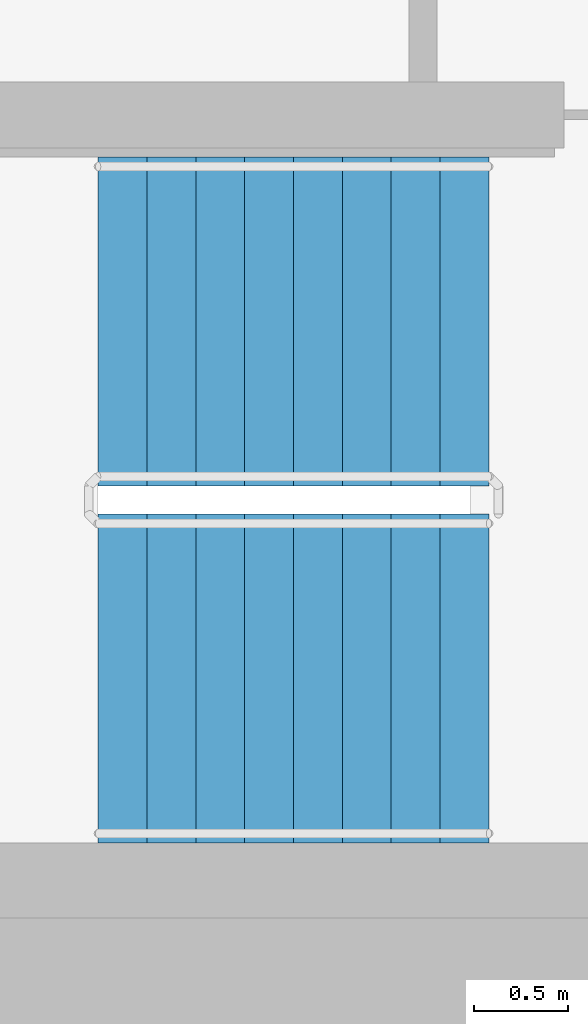
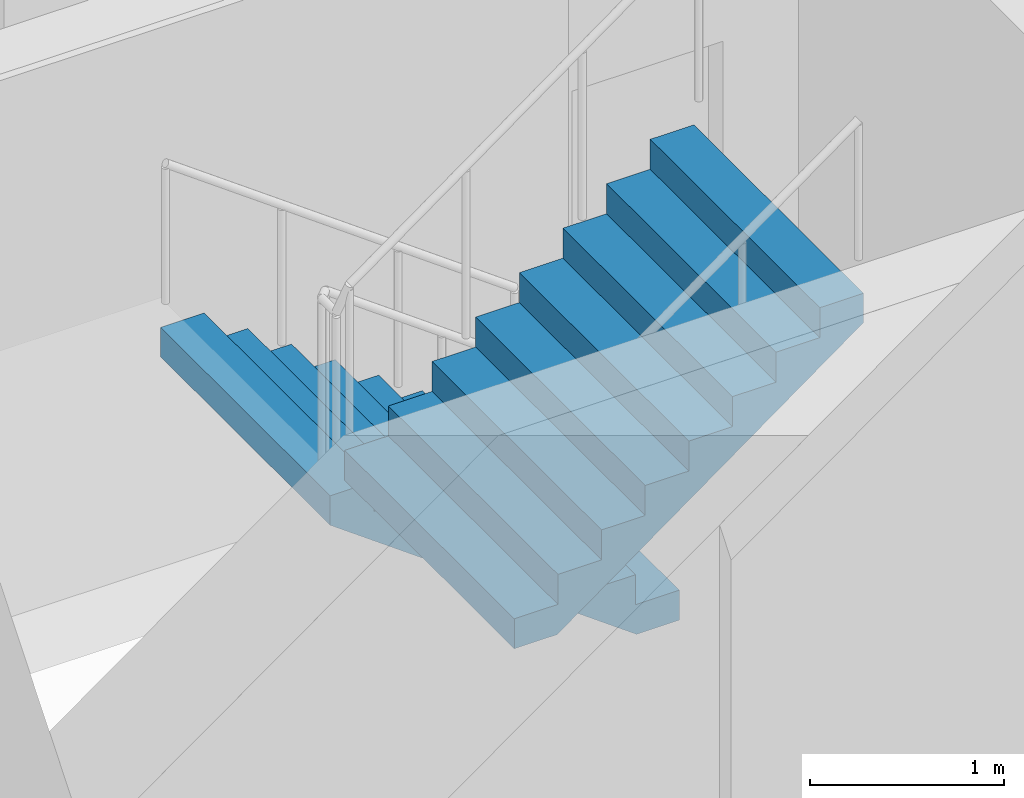
# One storey, part 13 of 19: 2 stair flights, 1 element without a shape of its own.
"""IFC4 building model written with IfcOpenShell, lengths in metres."""

from ifc_helpers import new_model, si_unit, direction, frame, origin, place, context, subcontext, project, spatial, faceted_brep, material, type_object, element, aggregate, save


model = new_model("IFC4")

# Units and contexts
model_context = context("Model", 3, precision=1e-05, world=origin(), true_north=direction((0.0, 1.0)))
body_context = subcontext(model_context, "Body", "Model", "MODEL_VIEW")
ifc_project = project(units=[si_unit("LENGTHUNIT", "METRE"), si_unit("AREAUNIT", "SQUARE_METRE"), si_unit("VOLUMEUNIT", "CUBIC_METRE"), si_unit("PLANEANGLEUNIT", "RADIAN"), si_unit("MASSUNIT", "GRAM", prefix="KILO")], contexts=[model_context])

# Site, building, storey
site_placement = place(None, origin())
site = spatial("IfcSite", under=ifc_project, at=site_placement, CompositionType="ELEMENT")
building_placement = place(site_placement, origin())
building = spatial("IfcBuilding", under=site, at=building_placement, Name="Ipe Terrace Towers", CompositionType="ELEMENT")
storey_placement = place(building_placement, frame((0.0, 0.0, 137.10009765625)))
storey = spatial("IfcBuildingStorey", under=building, at=storey_placement, Name="L37", CompositionType="ELEMENT", Elevation=137.10009765625)

# Stair, stair flights
ifc_material_1 = material(Name="Concrete C30/37", Category="concrete")
stair_type = type_object("IfcStairType", Name="Protected exit stair", PredefinedType="HALF_TURN_STAIR", material=ifc_material_1)
stair_placement = place(storey_placement, origin())
stair = element("IfcStair", 1, at=stair_placement, inside=storey, type_object=stair_type, Name="L37 Exit stair T1-C2", PredefinedType="HALF_TURN_STAIR")
ifc_material_2 = material(Name="Concrete C30/37", Category="concrete")
stair_flight_type = type_object("IfcStairFlightType", Name="Exit stair flight 1750", PredefinedType="STRAIGHT", material=ifc_material_2)
stair_flight_1_placement = place(storey_placement, frame((-45.699951171875, -2.77490234375, 0.0), z_axis=(0.0, 0.0, 1.0), x_axis=(-1.0, 0.0, 0.0)))
stair_flight_1 = element("IfcStairFlight", 2, at=stair_flight_1_placement, type_object=stair_flight_type, Name="T1-ST2 flight 1", NumberOfRisers=9, NumberOfTreads=8, PredefinedType="STRAIGHT", RiserHeight=0.188888889, TreadLength=0.26, context=body_context, shape_type="Brep", body=[
    faceted_brep([(0.255126953125, -0.875, 0.0), (2.080078125, -0.875, 1.325927734375), (2.080078125, -0.875, 1.51123046875), (1.820068359375, -0.875, 1.51123046875), (1.820068359375, -0.875, 1.322265625), (1.56005859375, -0.875, 1.322265625), (1.56005859375, -0.875, 1.13330078125), (1.300048828125, -0.875, 1.13330078125), (1.300048828125, -0.875, 0.9443359375), (1.0400390625, -0.875, 0.9443359375), (1.0400390625, -0.875, 0.755615234375), (0.780029296875, -0.875, 0.755615234375), (0.780029296875, -0.875, 0.566650390625), (0.52001953125, -0.875, 0.566650390625), (0.52001953125, -0.875, 0.377685546875), (0.260009765625, -0.875, 0.377685546875), (0.260009765625, -0.875, 0.18896484375), (0.0, -0.875, 0.18896484375), (0.0, -0.875, 0.0), (0.0, 0.875, 0.0), (0.0, 0.875, 0.18896484375), (0.260009765625, 0.875, 0.18896484375), (0.260009765625, 0.875, 0.377685546875), (0.52001953125, 0.875, 0.377685546875), (0.52001953125, 0.875, 0.566650390625), (0.780029296875, 0.875, 0.566650390625), (0.780029296875, 0.875, 0.755615234375), (1.0400390625, 0.875, 0.755615234375), (1.0400390625, 0.875, 0.9443359375), (1.300048828125, 0.875, 0.9443359375), (1.300048828125, 0.875, 1.13330078125), (1.56005859375, 0.875, 1.13330078125), (1.56005859375, 0.875, 1.322265625), (1.820068359375, 0.875, 1.322265625), (1.820068359375, 0.875, 1.51123046875), (2.080078125, 0.875, 1.51123046875), (2.080078125, 0.875, 1.325927734375), (0.255126953125, 0.875, 0.0), (0.0, -0.300048828125, 0.18896484375), (0.0, -0.1201171875, 0.18896484375), (0.0, -0.06005859375, 0.18896484375), (0.0, -0.030029296875, 0.18896484375), (0.0, -0.010009765625, 0.18896484375), (0.0, 0.0, 0.18896484375), (0.0, 0.010009765625, 0.18896484375), (0.0, 0.030029296875, 0.18896484375), (0.0, 0.06005859375, 0.18896484375), (0.0, 0.1201171875, 0.18896484375), (0.0, 0.300048828125, 0.18896484375), (0.0, 0.300048828125, 0.0), (0.0, 0.1201171875, 0.0), (0.0, 0.06005859375, 0.0), (0.0, 0.030029296875, 0.0), (0.0, 0.010009765625, 0.0), (0.0, 0.0, 0.0), (0.0, -0.010009765625, 0.0), (0.0, -0.030029296875, 0.0), (0.0, -0.06005859375, 0.0), (0.0, -0.1201171875, 0.0), (0.0, -0.300048828125, 0.0), (0.260009765625, -0.300048828125, 0.18896484375), (0.260009765625, -0.1201171875, 0.18896484375), (0.260009765625, -0.06005859375, 0.18896484375), (0.260009765625, -0.030029296875, 0.18896484375), (0.260009765625, -0.010009765625, 0.18896484375), (0.260009765625, 0.0, 0.18896484375), (0.260009765625, 0.010009765625, 0.18896484375), (0.260009765625, 0.030029296875, 0.18896484375), (0.260009765625, 0.06005859375, 0.18896484375), (0.260009765625, 0.1201171875, 0.18896484375), (0.260009765625, 0.300048828125, 0.18896484375), (0.260009765625, -0.300048828125, 0.377685546875), (0.260009765625, -0.1201171875, 0.377685546875), (0.260009765625, -0.06005859375, 0.377685546875), (0.260009765625, -0.030029296875, 0.377685546875), (0.260009765625, -0.010009765625, 0.377685546875), (0.260009765625, 0.0, 0.377685546875), (0.260009765625, 0.010009765625, 0.377685546875), (0.260009765625, 0.030029296875, 0.377685546875), (0.260009765625, 0.06005859375, 0.377685546875), (0.260009765625, 0.1201171875, 0.377685546875), (0.260009765625, 0.300048828125, 0.377685546875), (0.52001953125, -0.300048828125, 0.377685546875), (0.52001953125, -0.1201171875, 0.377685546875), (0.52001953125, -0.06005859375, 0.377685546875), (0.52001953125, -0.030029296875, 0.377685546875), (0.52001953125, -0.010009765625, 0.377685546875), (0.52001953125, 0.0, 0.377685546875), (0.52001953125, 0.010009765625, 0.377685546875), (0.52001953125, 0.030029296875, 0.377685546875), (0.52001953125, 0.06005859375, 0.377685546875), (0.52001953125, 0.1201171875, 0.377685546875), (0.52001953125, 0.300048828125, 0.377685546875), (0.52001953125, -0.300048828125, 0.566650390625), (0.52001953125, -0.1201171875, 0.566650390625), (0.52001953125, -0.06005859375, 0.566650390625), (0.52001953125, -0.030029296875, 0.566650390625), (0.52001953125, -0.010009765625, 0.566650390625), (0.52001953125, 0.0, 0.566650390625), (0.52001953125, 0.010009765625, 0.566650390625), (0.52001953125, 0.030029296875, 0.566650390625), (0.52001953125, 0.06005859375, 0.566650390625), (0.52001953125, 0.1201171875, 0.566650390625), (0.52001953125, 0.300048828125, 0.566650390625), (0.780029296875, -0.300048828125, 0.566650390625), (0.780029296875, -0.1201171875, 0.566650390625), (0.780029296875, -0.06005859375, 0.566650390625), (0.780029296875, -0.030029296875, 0.566650390625), (0.780029296875, -0.010009765625, 0.566650390625), (0.780029296875, 0.0, 0.566650390625), (0.780029296875, 0.010009765625, 0.566650390625), (0.780029296875, 0.030029296875, 0.566650390625), (0.780029296875, 0.06005859375, 0.566650390625), (0.780029296875, 0.1201171875, 0.566650390625), (0.780029296875, 0.300048828125, 0.566650390625), (0.780029296875, -0.300048828125, 0.755615234375), (0.780029296875, -0.1201171875, 0.755615234375), (0.780029296875, -0.06005859375, 0.755615234375), (0.780029296875, -0.030029296875, 0.755615234375), (0.780029296875, -0.010009765625, 0.755615234375), (0.780029296875, 0.0, 0.755615234375), (0.780029296875, 0.010009765625, 0.755615234375), (0.780029296875, 0.030029296875, 0.755615234375), (0.780029296875, 0.06005859375, 0.755615234375), (0.780029296875, 0.1201171875, 0.755615234375), (0.780029296875, 0.300048828125, 0.755615234375), (1.0400390625, -0.300048828125, 0.755615234375), (1.0400390625, -0.1201171875, 0.755615234375), (1.0400390625, -0.06005859375, 0.755615234375), (1.0400390625, -0.030029296875, 0.755615234375), (1.0400390625, -0.010009765625, 0.755615234375), (1.0400390625, 0.0, 0.755615234375), (1.0400390625, 0.010009765625, 0.755615234375), (1.0400390625, 0.030029296875, 0.755615234375), (1.0400390625, 0.06005859375, 0.755615234375), (1.0400390625, 0.1201171875, 0.755615234375), (1.0400390625, 0.300048828125, 0.755615234375), (1.0400390625, -0.300048828125, 0.9443359375), (1.0400390625, -0.1201171875, 0.9443359375), (1.0400390625, -0.06005859375, 0.9443359375), (1.0400390625, -0.030029296875, 0.9443359375), (1.0400390625, -0.010009765625, 0.9443359375), (1.0400390625, 0.0, 0.9443359375), (1.0400390625, 0.010009765625, 0.9443359375), (1.0400390625, 0.030029296875, 0.9443359375), (1.0400390625, 0.06005859375, 0.9443359375), (1.0400390625, 0.1201171875, 0.9443359375), (1.0400390625, 0.300048828125, 0.9443359375), (1.300048828125, -0.300048828125, 0.9443359375), (1.300048828125, -0.1201171875, 0.9443359375), (1.300048828125, -0.06005859375, 0.9443359375), (1.300048828125, -0.030029296875, 0.9443359375), (1.300048828125, -0.010009765625, 0.9443359375), (1.300048828125, 0.0, 0.9443359375), (1.300048828125, 0.010009765625, 0.9443359375), (1.300048828125, 0.030029296875, 0.9443359375), (1.300048828125, 0.06005859375, 0.9443359375), (1.300048828125, 0.1201171875, 0.9443359375), (1.300048828125, 0.300048828125, 0.9443359375), (1.300048828125, -0.300048828125, 1.13330078125), (1.300048828125, -0.1201171875, 1.13330078125), (1.300048828125, -0.06005859375, 1.13330078125), (1.300048828125, -0.030029296875, 1.13330078125), (1.300048828125, -0.010009765625, 1.13330078125), (1.300048828125, 0.0, 1.13330078125), (1.300048828125, 0.010009765625, 1.13330078125), (1.300048828125, 0.030029296875, 1.13330078125), (1.300048828125, 0.06005859375, 1.13330078125), (1.300048828125, 0.1201171875, 1.13330078125), (1.300048828125, 0.300048828125, 1.13330078125), (1.56005859375, -0.300048828125, 1.13330078125), (1.56005859375, -0.1201171875, 1.13330078125), (1.56005859375, -0.06005859375, 1.13330078125), (1.56005859375, -0.030029296875, 1.13330078125), (1.56005859375, -0.010009765625, 1.13330078125), (1.56005859375, 0.0, 1.13330078125), (1.56005859375, 0.010009765625, 1.13330078125), (1.56005859375, 0.030029296875, 1.13330078125), (1.56005859375, 0.06005859375, 1.13330078125), (1.56005859375, 0.1201171875, 1.13330078125), (1.56005859375, 0.300048828125, 1.13330078125), (1.56005859375, -0.300048828125, 1.322265625), (1.56005859375, -0.1201171875, 1.322265625), (1.56005859375, -0.06005859375, 1.322265625), (1.56005859375, -0.030029296875, 1.322265625), (1.56005859375, -0.010009765625, 1.322265625), (1.56005859375, 0.0, 1.322265625), (1.56005859375, 0.010009765625, 1.322265625), (1.56005859375, 0.030029296875, 1.322265625), (1.56005859375, 0.06005859375, 1.322265625), (1.56005859375, 0.1201171875, 1.322265625), (1.56005859375, 0.300048828125, 1.322265625), (1.820068359375, -0.300048828125, 1.322265625), (1.820068359375, -0.1201171875, 1.322265625), (1.820068359375, -0.06005859375, 1.322265625), (1.820068359375, -0.030029296875, 1.322265625), (1.820068359375, -0.010009765625, 1.322265625), (1.820068359375, 0.0, 1.322265625), (1.820068359375, 0.010009765625, 1.322265625), (1.820068359375, 0.030029296875, 1.322265625), (1.820068359375, 0.06005859375, 1.322265625), (1.820068359375, 0.1201171875, 1.322265625), (1.820068359375, 0.300048828125, 1.322265625), (1.820068359375, -0.300048828125, 1.51123046875), (1.820068359375, -0.1201171875, 1.51123046875), (1.820068359375, -0.06005859375, 1.51123046875), (1.820068359375, -0.030029296875, 1.51123046875), (1.820068359375, -0.010009765625, 1.51123046875), (1.820068359375, 0.0, 1.51123046875), (1.820068359375, 0.010009765625, 1.51123046875), (1.820068359375, 0.030029296875, 1.51123046875), (1.820068359375, 0.06005859375, 1.51123046875), (1.820068359375, 0.1201171875, 1.51123046875), (1.820068359375, 0.300048828125, 1.51123046875), (2.080078125, -0.300048828125, 1.51123046875), (2.080078125, -0.1201171875, 1.51123046875), (2.080078125, -0.06005859375, 1.51123046875), (2.080078125, -0.030029296875, 1.51123046875), (2.080078125, -0.010009765625, 1.51123046875), (2.080078125, 0.0, 1.51123046875), (2.080078125, 0.010009765625, 1.51123046875), (2.080078125, 0.030029296875, 1.51123046875), (2.080078125, 0.06005859375, 1.51123046875), (2.080078125, 0.1201171875, 1.51123046875), (2.080078125, 0.300048828125, 1.51123046875), (2.080078125, -0.300048828125, 1.325927734375), (2.080078125, -0.1201171875, 1.325927734375), (2.080078125, -0.06005859375, 1.325927734375), (2.080078125, -0.030029296875, 1.325927734375), (2.080078125, -0.010009765625, 1.325927734375), (2.080078125, 0.0, 1.325927734375), (2.080078125, 0.010009765625, 1.325927734375), (2.080078125, 0.030029296875, 1.325927734375), (2.080078125, 0.06005859375, 1.325927734375), (2.080078125, 0.1201171875, 1.325927734375), (2.080078125, 0.300048828125, 1.325927734375), (0.255126953125, -0.300048828125, 0.0), (0.255126953125, -0.1201171875, 0.0), (0.255126953125, -0.06005859375, 0.0), (0.255126953125, -0.030029296875, 0.0), (0.255126953125, -0.010009765625, 0.0), (0.255126953125, 0.0, 0.0), (0.255126953125, 0.010009765625, 0.0), (0.255126953125, 0.030029296875, 0.0), (0.255126953125, 0.06005859375, 0.0), (0.255126953125, 0.1201171875, 0.0), (0.255126953125, 0.300048828125, 0.0)], [[[0, 1, 2, 3, 4, 5, 6, 7, 8, 9, 10, 11, 12, 13, 14, 15, 16, 17, 18]], [[19, 20, 21, 22, 23, 24, 25, 26, 27, 28, 29, 30, 31, 32, 33, 34, 35, 36, 37]], [[17, 38, 39, 40, 41, 42, 43, 44, 45, 46, 47, 48, 20, 19, 49, 50, 51, 52, 53, 54, 55, 56, 57, 58, 59, 18]], [[16, 60, 61, 62, 63, 64, 65, 66, 67, 68, 69, 70, 21, 20, 48, 47, 46, 45, 44, 43, 42, 41, 40, 39, 38, 17]], [[15, 71, 72, 73, 74, 75, 76, 77, 78, 79, 80, 81, 22, 21, 70, 69, 68, 67, 66, 65, 64, 63, 62, 61, 60, 16]], [[14, 82, 83, 84, 85, 86, 87, 88, 89, 90, 91, 92, 23, 22, 81, 80, 79, 78, 77, 76, 75, 74, 73, 72, 71, 15]], [[13, 93, 94, 95, 96, 97, 98, 99, 100, 101, 102, 103, 24, 23, 92, 91, 90, 89, 88, 87, 86, 85, 84, 83, 82, 14]], [[12, 104, 105, 106, 107, 108, 109, 110, 111, 112, 113, 114, 25, 24, 103, 102, 101, 100, 99, 98, 97, 96, 95, 94, 93, 13]], [[11, 115, 116, 117, 118, 119, 120, 121, 122, 123, 124, 125, 26, 25, 114, 113, 112, 111, 110, 109, 108, 107, 106, 105, 104, 12]], [[10, 126, 127, 128, 129, 130, 131, 132, 133, 134, 135, 136, 27, 26, 125, 124, 123, 122, 121, 120, 119, 118, 117, 116, 115, 11]], [[9, 137, 138, 139, 140, 141, 142, 143, 144, 145, 146, 147, 28, 27, 136, 135, 134, 133, 132, 131, 130, 129, 128, 127, 126, 10]], [[8, 148, 149, 150, 151, 152, 153, 154, 155, 156, 157, 158, 29, 28, 147, 146, 145, 144, 143, 142, 141, 140, 139, 138, 137, 9]], [[7, 159, 160, 161, 162, 163, 164, 165, 166, 167, 168, 169, 30, 29, 158, 157, 156, 155, 154, 153, 152, 151, 150, 149, 148, 8]], [[6, 170, 171, 172, 173, 174, 175, 176, 177, 178, 179, 180, 31, 30, 169, 168, 167, 166, 165, 164, 163, 162, 161, 160, 159, 7]], [[5, 181, 182, 183, 184, 185, 186, 187, 188, 189, 190, 191, 32, 31, 180, 179, 178, 177, 176, 175, 174, 173, 172, 171, 170, 6]], [[4, 192, 193, 194, 195, 196, 197, 198, 199, 200, 201, 202, 33, 32, 191, 190, 189, 188, 187, 186, 185, 184, 183, 182, 181, 5]], [[3, 203, 204, 205, 206, 207, 208, 209, 210, 211, 212, 213, 34, 33, 202, 201, 200, 199, 198, 197, 196, 195, 194, 193, 192, 4]], [[2, 214, 215, 216, 217, 218, 219, 220, 221, 222, 223, 224, 35, 34, 213, 212, 211, 210, 209, 208, 207, 206, 205, 204, 203, 3]], [[1, 225, 226, 227, 228, 229, 230, 231, 232, 233, 234, 235, 36, 35, 224, 223, 222, 221, 220, 219, 218, 217, 216, 215, 214, 2]], [[0, 236, 237, 238, 239, 240, 241, 242, 243, 244, 245, 246, 37, 36, 235, 234, 233, 232, 231, 230, 229, 228, 227, 226, 225, 1]], [[18, 59, 58, 57, 56, 55, 54, 53, 52, 51, 50, 49, 19, 37, 246, 245, 244, 243, 242, 241, 240, 239, 238, 237, 236, 0]]]),
])
stair_flight_2_placement = place(storey_placement, frame((-47.780029296875, -4.675048828125, 1.699951171875), z_axis=(0.0, 0.0, 1.0), x_axis=(1.0, 0.0, 0.0)))
stair_flight_2 = element("IfcStairFlight", 3, at=stair_flight_2_placement, type_object=stair_flight_type, Name="T1-ST2 flight 2", NumberOfRisers=9, NumberOfTreads=8, PredefinedType="STRAIGHT", RiserHeight=0.188888889, TreadLength=0.26, context=body_context, shape_type="Brep", body=[
    faceted_brep([(0.255126953125, -0.875, 0.0), (2.080078125, -0.875, 1.325927734375), (2.080078125, -0.875, 1.51123046875), (1.820068359375, -0.875, 1.51123046875), (1.820068359375, -0.875, 1.322265625), (1.56005859375, -0.875, 1.322265625), (1.56005859375, -0.875, 1.13330078125), (1.300048828125, -0.875, 1.13330078125), (1.300048828125, -0.875, 0.9443359375), (1.0400390625, -0.875, 0.9443359375), (1.0400390625, -0.875, 0.755615234375), (0.780029296875, -0.875, 0.755615234375), (0.780029296875, -0.875, 0.566650390625), (0.52001953125, -0.875, 0.566650390625), (0.52001953125, -0.875, 0.377685546875), (0.260009765625, -0.875, 0.377685546875), (0.260009765625, -0.875, 0.18896484375), (0.0, -0.875, 0.18896484375), (0.0, -0.875, 0.0), (0.0, 0.875, 0.0), (0.0, 0.875, 0.18896484375), (0.260009765625, 0.875, 0.18896484375), (0.260009765625, 0.875, 0.377685546875), (0.52001953125, 0.875, 0.377685546875), (0.52001953125, 0.875, 0.566650390625), (0.780029296875, 0.875, 0.566650390625), (0.780029296875, 0.875, 0.755615234375), (1.0400390625, 0.875, 0.755615234375), (1.0400390625, 0.875, 0.9443359375), (1.300048828125, 0.875, 0.9443359375), (1.300048828125, 0.875, 1.13330078125), (1.56005859375, 0.875, 1.13330078125), (1.56005859375, 0.875, 1.322265625), (1.820068359375, 0.875, 1.322265625), (1.820068359375, 0.875, 1.51123046875), (2.080078125, 0.875, 1.51123046875), (2.080078125, 0.875, 1.325927734375), (0.255126953125, 0.875, 0.0), (0.0, -0.300048828125, 0.18896484375), (0.0, -0.1201171875, 0.18896484375), (0.0, -0.06005859375, 0.18896484375), (0.0, -0.030029296875, 0.18896484375), (0.0, -0.010009765625, 0.18896484375), (0.0, 0.0, 0.18896484375), (0.0, 0.010009765625, 0.18896484375), (0.0, 0.030029296875, 0.18896484375), (0.0, 0.06005859375, 0.18896484375), (0.0, 0.1201171875, 0.18896484375), (0.0, 0.300048828125, 0.18896484375), (0.0, 0.300048828125, 0.0), (0.0, 0.1201171875, 0.0), (0.0, 0.06005859375, 0.0), (0.0, 0.030029296875, 0.0), (0.0, 0.010009765625, 0.0), (0.0, 0.0, 0.0), (0.0, -0.010009765625, 0.0), (0.0, -0.030029296875, 0.0), (0.0, -0.06005859375, 0.0), (0.0, -0.1201171875, 0.0), (0.0, -0.300048828125, 0.0), (0.260009765625, -0.300048828125, 0.18896484375), (0.260009765625, -0.1201171875, 0.18896484375), (0.260009765625, -0.06005859375, 0.18896484375), (0.260009765625, -0.030029296875, 0.18896484375), (0.260009765625, -0.010009765625, 0.18896484375), (0.260009765625, 0.0, 0.18896484375), (0.260009765625, 0.010009765625, 0.18896484375), (0.260009765625, 0.030029296875, 0.18896484375), (0.260009765625, 0.06005859375, 0.18896484375), (0.260009765625, 0.1201171875, 0.18896484375), (0.260009765625, 0.300048828125, 0.18896484375), (0.260009765625, -0.300048828125, 0.377685546875), (0.260009765625, -0.1201171875, 0.377685546875), (0.260009765625, -0.06005859375, 0.377685546875), (0.260009765625, -0.030029296875, 0.377685546875), (0.260009765625, -0.010009765625, 0.377685546875), (0.260009765625, 0.0, 0.377685546875), (0.260009765625, 0.010009765625, 0.377685546875), (0.260009765625, 0.030029296875, 0.377685546875), (0.260009765625, 0.06005859375, 0.377685546875), (0.260009765625, 0.1201171875, 0.377685546875), (0.260009765625, 0.300048828125, 0.377685546875), (0.52001953125, -0.300048828125, 0.377685546875), (0.52001953125, -0.1201171875, 0.377685546875), (0.52001953125, -0.06005859375, 0.377685546875), (0.52001953125, -0.030029296875, 0.377685546875), (0.52001953125, -0.010009765625, 0.377685546875), (0.52001953125, 0.0, 0.377685546875), (0.52001953125, 0.010009765625, 0.377685546875), (0.52001953125, 0.030029296875, 0.377685546875), (0.52001953125, 0.06005859375, 0.377685546875), (0.52001953125, 0.1201171875, 0.377685546875), (0.52001953125, 0.300048828125, 0.377685546875), (0.52001953125, -0.300048828125, 0.566650390625), (0.52001953125, -0.1201171875, 0.566650390625), (0.52001953125, -0.06005859375, 0.566650390625), (0.52001953125, -0.030029296875, 0.566650390625), (0.52001953125, -0.010009765625, 0.566650390625), (0.52001953125, 0.0, 0.566650390625), (0.52001953125, 0.010009765625, 0.566650390625), (0.52001953125, 0.030029296875, 0.566650390625), (0.52001953125, 0.06005859375, 0.566650390625), (0.52001953125, 0.1201171875, 0.566650390625), (0.52001953125, 0.300048828125, 0.566650390625), (0.780029296875, -0.300048828125, 0.566650390625), (0.780029296875, -0.1201171875, 0.566650390625), (0.780029296875, -0.06005859375, 0.566650390625), (0.780029296875, -0.030029296875, 0.566650390625), (0.780029296875, -0.010009765625, 0.566650390625), (0.780029296875, 0.0, 0.566650390625), (0.780029296875, 0.010009765625, 0.566650390625), (0.780029296875, 0.030029296875, 0.566650390625), (0.780029296875, 0.06005859375, 0.566650390625), (0.780029296875, 0.1201171875, 0.566650390625), (0.780029296875, 0.300048828125, 0.566650390625), (0.780029296875, -0.300048828125, 0.755615234375), (0.780029296875, -0.1201171875, 0.755615234375), (0.780029296875, -0.06005859375, 0.755615234375), (0.780029296875, -0.030029296875, 0.755615234375), (0.780029296875, -0.010009765625, 0.755615234375), (0.780029296875, 0.0, 0.755615234375), (0.780029296875, 0.010009765625, 0.755615234375), (0.780029296875, 0.030029296875, 0.755615234375), (0.780029296875, 0.06005859375, 0.755615234375), (0.780029296875, 0.1201171875, 0.755615234375), (0.780029296875, 0.300048828125, 0.755615234375), (1.0400390625, -0.300048828125, 0.755615234375), (1.0400390625, -0.1201171875, 0.755615234375), (1.0400390625, -0.06005859375, 0.755615234375), (1.0400390625, -0.030029296875, 0.755615234375), (1.0400390625, -0.010009765625, 0.755615234375), (1.0400390625, 0.0, 0.755615234375), (1.0400390625, 0.010009765625, 0.755615234375), (1.0400390625, 0.030029296875, 0.755615234375), (1.0400390625, 0.06005859375, 0.755615234375), (1.0400390625, 0.1201171875, 0.755615234375), (1.0400390625, 0.300048828125, 0.755615234375), (1.0400390625, -0.300048828125, 0.9443359375), (1.0400390625, -0.1201171875, 0.9443359375), (1.0400390625, -0.06005859375, 0.9443359375), (1.0400390625, -0.030029296875, 0.9443359375), (1.0400390625, -0.010009765625, 0.9443359375), (1.0400390625, 0.0, 0.9443359375), (1.0400390625, 0.010009765625, 0.9443359375), (1.0400390625, 0.030029296875, 0.9443359375), (1.0400390625, 0.06005859375, 0.9443359375), (1.0400390625, 0.1201171875, 0.9443359375), (1.0400390625, 0.300048828125, 0.9443359375), (1.300048828125, -0.300048828125, 0.9443359375), (1.300048828125, -0.1201171875, 0.9443359375), (1.300048828125, -0.06005859375, 0.9443359375), (1.300048828125, -0.030029296875, 0.9443359375), (1.300048828125, -0.010009765625, 0.9443359375), (1.300048828125, 0.0, 0.9443359375), (1.300048828125, 0.010009765625, 0.9443359375), (1.300048828125, 0.030029296875, 0.9443359375), (1.300048828125, 0.06005859375, 0.9443359375), (1.300048828125, 0.1201171875, 0.9443359375), (1.300048828125, 0.300048828125, 0.9443359375), (1.300048828125, -0.300048828125, 1.13330078125), (1.300048828125, -0.1201171875, 1.13330078125), (1.300048828125, -0.06005859375, 1.13330078125), (1.300048828125, -0.030029296875, 1.13330078125), (1.300048828125, -0.010009765625, 1.13330078125), (1.300048828125, 0.0, 1.13330078125), (1.300048828125, 0.010009765625, 1.13330078125), (1.300048828125, 0.030029296875, 1.13330078125), (1.300048828125, 0.06005859375, 1.13330078125), (1.300048828125, 0.1201171875, 1.13330078125), (1.300048828125, 0.300048828125, 1.13330078125), (1.56005859375, -0.300048828125, 1.13330078125), (1.56005859375, -0.1201171875, 1.13330078125), (1.56005859375, -0.06005859375, 1.13330078125), (1.56005859375, -0.030029296875, 1.13330078125), (1.56005859375, -0.010009765625, 1.13330078125), (1.56005859375, 0.0, 1.13330078125), (1.56005859375, 0.010009765625, 1.13330078125), (1.56005859375, 0.030029296875, 1.13330078125), (1.56005859375, 0.06005859375, 1.13330078125), (1.56005859375, 0.1201171875, 1.13330078125), (1.56005859375, 0.300048828125, 1.13330078125), (1.56005859375, -0.300048828125, 1.322265625), (1.56005859375, -0.1201171875, 1.322265625), (1.56005859375, -0.06005859375, 1.322265625), (1.56005859375, -0.030029296875, 1.322265625), (1.56005859375, -0.010009765625, 1.322265625), (1.56005859375, 0.0, 1.322265625), (1.56005859375, 0.010009765625, 1.322265625), (1.56005859375, 0.030029296875, 1.322265625), (1.56005859375, 0.06005859375, 1.322265625), (1.56005859375, 0.1201171875, 1.322265625), (1.56005859375, 0.300048828125, 1.322265625), (1.820068359375, -0.300048828125, 1.322265625), (1.820068359375, -0.1201171875, 1.322265625), (1.820068359375, -0.06005859375, 1.322265625), (1.820068359375, -0.030029296875, 1.322265625), (1.820068359375, -0.010009765625, 1.322265625), (1.820068359375, 0.0, 1.322265625), (1.820068359375, 0.010009765625, 1.322265625), (1.820068359375, 0.030029296875, 1.322265625), (1.820068359375, 0.06005859375, 1.322265625), (1.820068359375, 0.1201171875, 1.322265625), (1.820068359375, 0.300048828125, 1.322265625), (1.820068359375, -0.300048828125, 1.51123046875), (1.820068359375, -0.1201171875, 1.51123046875), (1.820068359375, -0.06005859375, 1.51123046875), (1.820068359375, -0.030029296875, 1.51123046875), (1.820068359375, -0.010009765625, 1.51123046875), (1.820068359375, 0.0, 1.51123046875), (1.820068359375, 0.010009765625, 1.51123046875), (1.820068359375, 0.030029296875, 1.51123046875), (1.820068359375, 0.06005859375, 1.51123046875), (1.820068359375, 0.1201171875, 1.51123046875), (1.820068359375, 0.300048828125, 1.51123046875), (2.080078125, -0.300048828125, 1.51123046875), (2.080078125, -0.1201171875, 1.51123046875), (2.080078125, -0.06005859375, 1.51123046875), (2.080078125, -0.030029296875, 1.51123046875), (2.080078125, -0.010009765625, 1.51123046875), (2.080078125, 0.0, 1.51123046875), (2.080078125, 0.010009765625, 1.51123046875), (2.080078125, 0.030029296875, 1.51123046875), (2.080078125, 0.06005859375, 1.51123046875), (2.080078125, 0.1201171875, 1.51123046875), (2.080078125, 0.300048828125, 1.51123046875), (2.080078125, -0.300048828125, 1.325927734375), (2.080078125, -0.1201171875, 1.325927734375), (2.080078125, -0.06005859375, 1.325927734375), (2.080078125, -0.030029296875, 1.325927734375), (2.080078125, -0.010009765625, 1.325927734375), (2.080078125, 0.0, 1.325927734375), (2.080078125, 0.010009765625, 1.325927734375), (2.080078125, 0.030029296875, 1.325927734375), (2.080078125, 0.06005859375, 1.325927734375), (2.080078125, 0.1201171875, 1.325927734375), (2.080078125, 0.300048828125, 1.325927734375), (0.255126953125, -0.300048828125, 0.0), (0.255126953125, -0.1201171875, 0.0), (0.255126953125, -0.06005859375, 0.0), (0.255126953125, -0.030029296875, 0.0), (0.255126953125, -0.010009765625, 0.0), (0.255126953125, 0.0, 0.0), (0.255126953125, 0.010009765625, 0.0), (0.255126953125, 0.030029296875, 0.0), (0.255126953125, 0.06005859375, 0.0), (0.255126953125, 0.1201171875, 0.0), (0.255126953125, 0.300048828125, 0.0)], [[[0, 1, 2, 3, 4, 5, 6, 7, 8, 9, 10, 11, 12, 13, 14, 15, 16, 17, 18]], [[19, 20, 21, 22, 23, 24, 25, 26, 27, 28, 29, 30, 31, 32, 33, 34, 35, 36, 37]], [[17, 38, 39, 40, 41, 42, 43, 44, 45, 46, 47, 48, 20, 19, 49, 50, 51, 52, 53, 54, 55, 56, 57, 58, 59, 18]], [[16, 60, 61, 62, 63, 64, 65, 66, 67, 68, 69, 70, 21, 20, 48, 47, 46, 45, 44, 43, 42, 41, 40, 39, 38, 17]], [[15, 71, 72, 73, 74, 75, 76, 77, 78, 79, 80, 81, 22, 21, 70, 69, 68, 67, 66, 65, 64, 63, 62, 61, 60, 16]], [[14, 82, 83, 84, 85, 86, 87, 88, 89, 90, 91, 92, 23, 22, 81, 80, 79, 78, 77, 76, 75, 74, 73, 72, 71, 15]], [[13, 93, 94, 95, 96, 97, 98, 99, 100, 101, 102, 103, 24, 23, 92, 91, 90, 89, 88, 87, 86, 85, 84, 83, 82, 14]], [[12, 104, 105, 106, 107, 108, 109, 110, 111, 112, 113, 114, 25, 24, 103, 102, 101, 100, 99, 98, 97, 96, 95, 94, 93, 13]], [[11, 115, 116, 117, 118, 119, 120, 121, 122, 123, 124, 125, 26, 25, 114, 113, 112, 111, 110, 109, 108, 107, 106, 105, 104, 12]], [[10, 126, 127, 128, 129, 130, 131, 132, 133, 134, 135, 136, 27, 26, 125, 124, 123, 122, 121, 120, 119, 118, 117, 116, 115, 11]], [[9, 137, 138, 139, 140, 141, 142, 143, 144, 145, 146, 147, 28, 27, 136, 135, 134, 133, 132, 131, 130, 129, 128, 127, 126, 10]], [[8, 148, 149, 150, 151, 152, 153, 154, 155, 156, 157, 158, 29, 28, 147, 146, 145, 144, 143, 142, 141, 140, 139, 138, 137, 9]], [[7, 159, 160, 161, 162, 163, 164, 165, 166, 167, 168, 169, 30, 29, 158, 157, 156, 155, 154, 153, 152, 151, 150, 149, 148, 8]], [[6, 170, 171, 172, 173, 174, 175, 176, 177, 178, 179, 180, 31, 30, 169, 168, 167, 166, 165, 164, 163, 162, 161, 160, 159, 7]], [[5, 181, 182, 183, 184, 185, 186, 187, 188, 189, 190, 191, 32, 31, 180, 179, 178, 177, 176, 175, 174, 173, 172, 171, 170, 6]], [[4, 192, 193, 194, 195, 196, 197, 198, 199, 200, 201, 202, 33, 32, 191, 190, 189, 188, 187, 186, 185, 184, 183, 182, 181, 5]], [[3, 203, 204, 205, 206, 207, 208, 209, 210, 211, 212, 213, 34, 33, 202, 201, 200, 199, 198, 197, 196, 195, 194, 193, 192, 4]], [[2, 214, 215, 216, 217, 218, 219, 220, 221, 222, 223, 224, 35, 34, 213, 212, 211, 210, 209, 208, 207, 206, 205, 204, 203, 3]], [[1, 225, 226, 227, 228, 229, 230, 231, 232, 233, 234, 235, 36, 35, 224, 223, 222, 221, 220, 219, 218, 217, 216, 215, 214, 2]], [[0, 236, 237, 238, 239, 240, 241, 242, 243, 244, 245, 246, 37, 36, 235, 234, 233, 232, 231, 230, 229, 228, 227, 226, 225, 1]], [[18, 59, 58, 57, 56, 55, 54, 53, 52, 51, 50, 49, 19, 37, 246, 245, 244, 243, 242, 241, 240, 239, 238, 237, 236, 0]]]),
])
aggregate(stair, [stair_flight_1, stair_flight_2])

save(model, "model.ifc")
